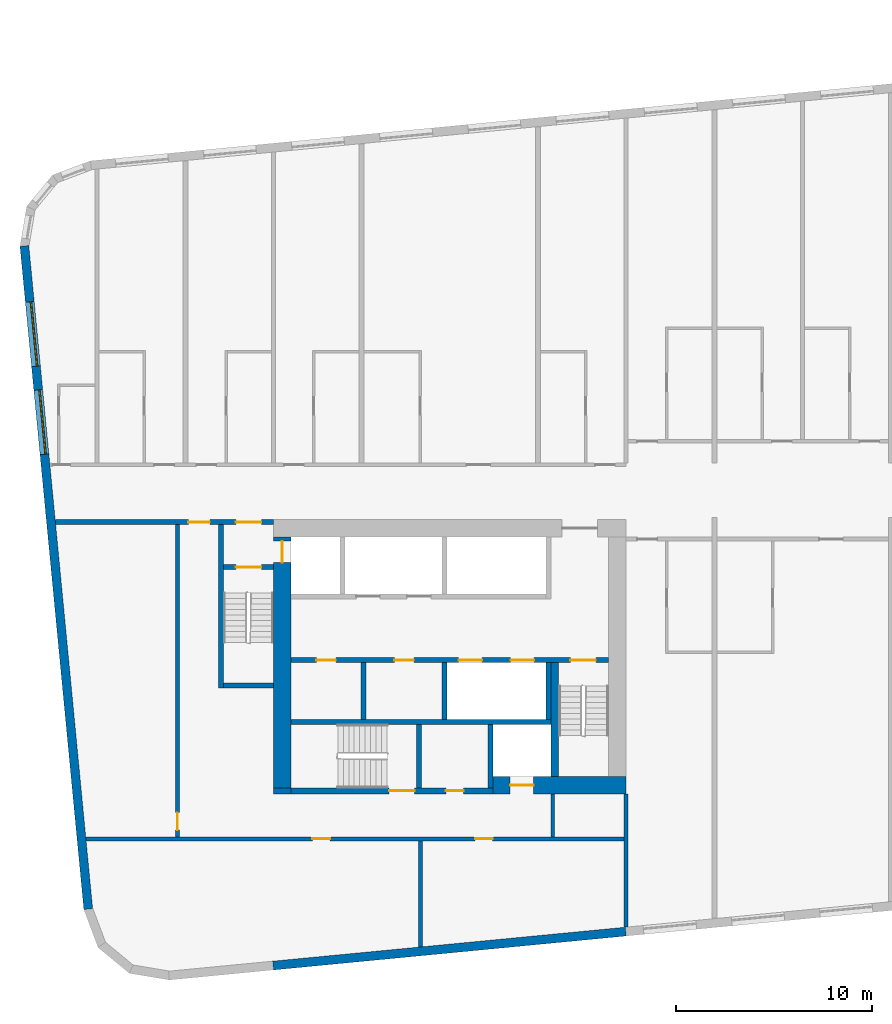
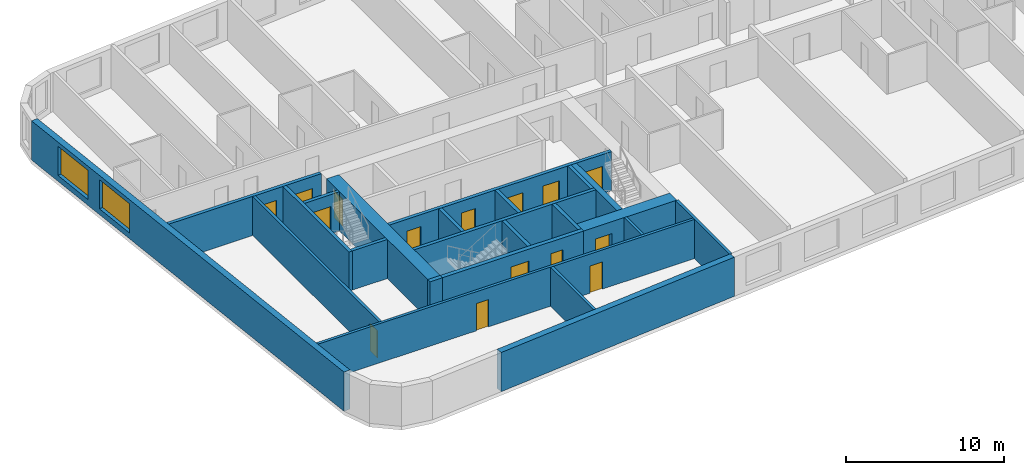
# One storey, part 2 of 12: 23 walls, 15 doors, 2 windows, 17 openings.
"""IFC4 building model written with IfcOpenShell, lengths in metres."""

from ifc_helpers import new_model, si_unit, direction, frame, frame_2d, origin, place, context, subcontext, project, spatial, rectangle, extrude, material, layer, layer_set, type_object, element, fill, save


model = new_model("IFC4")

# Units and contexts
model_context = context("Model", 3, precision=1e-05, world=origin(), true_north=direction((0.0, 1.0)))
body_context = subcontext(model_context, "Body", "Model", "MODEL_VIEW")
ifc_project = project(units=[si_unit("LENGTHUNIT", "METRE"), si_unit("AREAUNIT", "SQUARE_METRE"), si_unit("VOLUMEUNIT", "CUBIC_METRE"), si_unit("PLANEANGLEUNIT", "RADIAN"), si_unit("MASSUNIT", "GRAM", prefix="KILO")], contexts=[model_context])

# Site, building, storey
site_placement = place(None, origin())
site = spatial("IfcSite", under=ifc_project, at=site_placement, CompositionType="ELEMENT")
building_placement = place(site_placement, origin())
building = spatial("IfcBuilding", under=site, at=building_placement, Name="Kajstack Hotel Tower", CompositionType="ELEMENT")
storey_placement = place(building_placement, frame((0.0, 0.0, 173.5)))
storey = spatial("IfcBuildingStorey", under=building, at=storey_placement, Name="L40", CompositionType="ELEMENT", Elevation=173.5)

# Wall, opening, door
ifc_material_1 = material(Name="Concrete C60/75", Category="concrete")
ifc_layer_1 = layer(ifc_material_1, 0.89990234375)
ifc_layer_set_1 = layer_set([ifc_layer_1], Name="Core wall 900")
wall_type_1 = type_object("IfcWallType", Name="Core wall 900", PredefinedType="SHEAR", material=ifc_layer_set_1)
wall_1_placement = place(storey_placement, frame((-20.300048828125, -15.050048828125, 0.0), z_axis=(0.0, 0.0, 1.0), x_axis=(1.0, 0.0, 0.0)))
wall_1 = element("IfcWall", 1, at=wall_1_placement, inside=storey, type_object=wall_type_1, Name="Core wall W RS", PredefinedType="SHEAR", context=body_context, shape_type="SweptSolid", body=[
    extrude(rectangle(XDim=6.800048828125, YDim=0.89990234375, at=frame_2d((3.39990234375, 0.0))), origin(), (0.0, 0.0, 1.0), 3.02001953125),
])
opening_1_placement = place(wall_1_placement, frame((0.875, 0.0, 0.0)))
opening_1 = element("IfcOpeningElement", 2, at=opening_1_placement, cuts=wall_1, Name="Opening LD-SV1", PredefinedType="OPENING", context=body_context, shape_type="SweptSolid", body=[
    extrude(rectangle(XDim=1.199951171875, YDim=2.10009765625, at=frame_2d((0.60009765625, 1.050048828125))), frame((0.0, 0.4599609375, 0.0), z_axis=(0.0, -1.0, 0.0), x_axis=(1.0, 0.0, 0.0)), (0.0, 0.0, 1.0), 0.919921875),
])
ifc_material_2 = material(Name="Stainless steel", Category="steel")
door_type_1 = type_object("IfcDoorType", Name="Lift landing door 1200", OperationType="SLIDING_TO_LEFT", PredefinedType="DOOR", material=ifc_material_2)
door_1_placement = place(opening_1_placement, origin())
door_1 = element("IfcDoor", 3, at=door_1_placement, inside=storey, type_object=door_type_1, Name="Landing door SV1", OperationType="SLIDING_TO_LEFT", OverallHeight=2.10009765625, OverallWidth=1.199951171875, PredefinedType="DOOR", context=body_context, shape_type="SweptSolid", body=[
    extrude(rectangle(XDim=1.199951171875, YDim=2.10009765625, at=frame_2d((0.60009765625, 1.050048828125))), frame((0.0, 0.02490234375, 0.0), z_axis=(0.0, -1.0, 0.0), x_axis=(1.0, 0.0, 0.0)), (0.0, 0.0, 1.0), 0.050048828125),
])
fill(opening_1, door_1)

# Wall
wall_2_placement = place(storey_placement, frame((-31.5, -15.35009765625, 0.0), z_axis=(0.0, 0.0, 1.0), x_axis=(1.0, 0.0, 0.0)))
element("IfcWall", 4, at=wall_2_placement, inside=storey, type_object=wall_type_1, Name="Core wall W RSW", PredefinedType="SHEAR", context=body_context, shape_type="SweptSolid", body=[
    extrude(rectangle(XDim=0.89990234375, YDim=0.300048828125, at=frame_2d((0.449951171875, 0.0))), origin(), (0.0, 0.0, 1.0), 3.02001953125),
])

# Wall, opening, door
wall_3_placement = place(storey_placement, frame((-31.050048828125, -15.199951171875, 0.0), z_axis=(0.0, 0.0, 1.0), x_axis=(0.0, 1.0, 0.0)))
wall_3 = element("IfcWall", 5, at=wall_3_placement, inside=storey, type_object=wall_type_1, Name="Core wall W RW", PredefinedType="SHEAR", context=body_context, shape_type="SweptSolid", body=[
    extrude(rectangle(XDim=12.800048828125, YDim=0.89990234375, at=frame_2d((6.39990234375, 0.0))), origin(), (0.0, 0.0, 1.0), 3.02001953125),
])
opening_2_placement = place(wall_3_placement, frame((11.5, 0.0, 0.0)))
opening_2 = element("IfcOpeningElement", 6, at=opening_2_placement, cuts=wall_3, Name="Opening LD-FF1", PredefinedType="OPENING", context=body_context, shape_type="SweptSolid", body=[
    extrude(rectangle(XDim=1.10009765625, YDim=2.10009765625, at=frame_2d((0.550048828125, 1.050048828125))), frame((0.0, 0.4599609375, 0.0), z_axis=(0.0, -1.0, 0.0), x_axis=(1.0, 0.0, 0.0)), (0.0, 0.0, 1.0), 0.919921875),
])
door_type_2 = type_object("IfcDoorType", Name="Fire-fighting lift landing door 1100", OperationType="SLIDING_TO_LEFT", PredefinedType="DOOR", material=ifc_material_2)
door_2_placement = place(opening_2_placement, origin())
door_2 = element("IfcDoor", 7, at=door_2_placement, inside=storey, type_object=door_type_2, Name="Landing door FF1", OperationType="SLIDING_TO_RIGHT", OverallHeight=2.10009765625, OverallWidth=1.10009765625, PredefinedType="DOOR", context=body_context, shape_type="SweptSolid", body=[
    extrude(rectangle(XDim=1.10009765625, YDim=2.10009765625, at=frame_2d((0.550048828125, 1.050048828125))), frame((0.0, 0.02490234375, 0.0), z_axis=(0.0, -1.0, 0.0), x_axis=(1.0, 0.0, 0.0)), (0.0, 0.0, 1.0), 0.050048828125),
])
fill(opening_2, door_2)

# Walls
ifc_material_3 = material(Name="Twin-frame gypsum board on steel studs, mineral wool", Category="steel")
ifc_layer_2 = layer(ifc_material_3, 0.199951171875)
ifc_layer_set_2 = layer_set([ifc_layer_2], Name="Demising wall 200")
wall_type_2 = type_object("IfcWallType", Name="Demising wall 200", PredefinedType="PARTITIONING", material=ifc_layer_set_2)
wall_4_placement = place(storey_placement, frame((-13.5, -22.300048828125, 0.0), z_axis=(0.0, 0.0, 1.0), x_axis=(0.0, 1.0, 0.0)))
element("IfcWall", 8, at=wall_4_placement, inside=storey, type_object=wall_type_2, Name="G-wall-L40-002", PredefinedType="PARTITIONING", context=body_context, shape_type="SweptSolid", body=[
    extrude(rectangle(XDim=6.800048828125, YDim=0.199951171875, at=frame_2d((3.39990234375, 0.0))), origin(), (0.0, 0.0, 1.0), 3.02001953125),
])
ifc_material_4 = material(Name="Concrete C40/50", Category="concrete")
ifc_layer_3 = layer(ifc_material_4, 0.449951171875)
ifc_layer_set_3 = layer_set([ifc_layer_3], Name="EW-CORE")
wall_type_3 = type_object("IfcWallType", Name="EW-CORE", PredefinedType="SOLIDWALL", material=ifc_layer_set_3)
wall_5_placement = place(storey_placement, frame((-31.521484375, -24.26171875, 0.0), z_axis=(0.0, 0.0, 1.0), x_axis=(0.995396454615, 0.095843091245, 0.0)))
element("IfcWall", 9, at=wall_5_placement, inside=storey, type_object=wall_type_3, Name="E-wall-L40-04-01", PredefinedType="SOLIDWALL", context=body_context, shape_type="SweptSolid", body=[
    extrude(rectangle(XDim=18.083251953125, YDim=0.449951171875, at=frame_2d((9.04150390625, 0.0))), origin(), (0.0, 0.0, 1.0), 3.02001953125),
])

# Wall, openings, windows
ifc_material_5 = material(Name="Terracotta-faced brick masonry", Category="masonry")
ifc_layer_4 = layer(ifc_material_5, 0.449951171875)
ifc_layer_set_4 = layer_set([ifc_layer_4], Name="EW-TERRA")
wall_type_4 = type_object("IfcWallType", Name="EW-TERRA", PredefinedType="SOLIDWALL", material=ifc_layer_set_4)
wall_6_placement = place(storey_placement, frame((-44.21435546875, 12.465576171875, 0.0), z_axis=(0.0, 0.0, 1.0), x_axis=(0.095847314626, -0.995396047952, 0.0)))
wall_6 = element("IfcWall", 10, at=wall_6_placement, inside=storey, type_object=wall_type_4, Name="E-wall-L40-00-00", PredefinedType="SOLIDWALL", context=body_context, shape_type="SweptSolid", body=[
    extrude(rectangle(XDim=33.999755859375, YDim=0.449951171875, at=frame_2d((17.0, 0.0))), origin(), (0.0, 0.0, 1.0), 3.02001953125),
])
opening_3_placement = place(wall_6_placement, frame((2.864990234375, 0.0, 0.449951171875)))
opening_3 = element("IfcOpeningElement", 11, at=opening_3_placement, cuts=wall_6, Name="Opening W2", PredefinedType="OPENING", context=body_context, shape_type="SweptSolid", body=[
    extrude(rectangle(XDim=3.300048828125, YDim=2.25, at=frame_2d((1.64990234375, 1.125))), frame((0.0, 0.23486328125, 0.0), z_axis=(0.0, -1.0, 0.0), x_axis=(1.0, 0.0, 0.0)), (0.0, 0.0, 1.0), 0.469970703125),
])
opening_4_placement = place(wall_6_placement, frame((7.3857421875, 0.0, 0.449951171875)))
opening_4 = element("IfcOpeningElement", 12, at=opening_4_placement, cuts=wall_6, Name="Opening W2", PredefinedType="OPENING", context=body_context, shape_type="SweptSolid", body=[
    extrude(rectangle(XDim=3.300048828125, YDim=2.25, at=frame_2d((1.64990234375, 1.125))), frame((0.0, 0.23486328125, 0.0), z_axis=(0.0, -1.0, 0.0), x_axis=(1.0, 0.0, 0.0)), (0.0, 0.0, 1.0), 0.469970703125),
])
ifc_material_6 = material(Name="Timber-aluminium window, triple glazed", Category="wood")
window_type = type_object("IfcWindowType", Name="WG2", PartitioningType="SINGLE_PANEL", PredefinedType="WINDOW", material=ifc_material_6)
window_1_placement = place(opening_3_placement, origin())
window_1 = element("IfcWindow", 13, at=window_1_placement, inside=storey, type_object=window_type, Name="Window W2 L40-00", OverallHeight=2.25, OverallWidth=3.300048828125, PartitioningType="SINGLE_PANEL", PredefinedType="WINDOW", context=body_context, shape_type="SweptSolid", body=[
    extrude(rectangle(XDim=3.300048828125, YDim=2.25, at=frame_2d((1.64990234375, 1.125))), frame((0.0, 0.090087890625, 0.0), z_axis=(0.0, -1.0, 0.0), x_axis=(1.0, 0.0, 0.0)), (0.0, 0.0, 1.0), 0.06005859375),
])
fill(opening_3, window_1)
window_2_placement = place(opening_4_placement, origin())
window_2 = element("IfcWindow", 14, at=window_2_placement, inside=storey, type_object=window_type, Name="Window W2 L40-00", OverallHeight=2.25, OverallWidth=3.300048828125, PartitioningType="SINGLE_PANEL", PredefinedType="WINDOW", context=body_context, shape_type="SweptSolid", body=[
    extrude(rectangle(XDim=3.300048828125, YDim=2.25, at=frame_2d((1.64990234375, 1.125))), frame((0.0, 0.090087890625, 0.0), z_axis=(0.0, -1.0, 0.0), x_axis=(1.0, 0.0, 0.0)), (0.0, 0.0, 1.0), 0.06005859375),
])
fill(opening_4, window_2)

# Walls
ifc_material_7 = material(Name="Concrete C50/60", Category="concrete")
ifc_layer_5 = layer(ifc_material_7, 0.300048828125)
ifc_layer_set_5 = layer_set([ifc_layer_5], Name="Hoistway divider wall 300")
wall_type_5 = type_object("IfcWallType", Name="Hoistway divider wall 300", PredefinedType="SHEAR", material=ifc_layer_set_5)
wall_7_placement = place(storey_placement, frame((-22.77490234375, -11.699951171875, 0.0), z_axis=(0.0, 0.0, 1.0), x_axis=(0.0, 1.0, 0.0)))
element("IfcWall", 15, at=wall_7_placement, inside=storey, type_object=wall_type_5, Name="Core wall W BP2", PredefinedType="SHEAR", context=body_context, shape_type="SweptSolid", body=[
    extrude(rectangle(XDim=2.89990234375, YDim=0.25, at=frame_2d((1.449951171875, 0.0))), origin(), (0.0, 0.0, 1.0), 3.02001953125),
])
ifc_material_8 = material(Name="Concrete block masonry", Category="masonry")
ifc_layer_6 = layer(ifc_material_8, 0.25)
ifc_layer_set_6 = layer_set([ifc_layer_6], Name="Riser partition 250")
wall_type_6 = type_object("IfcWallType", Name="Riser partition 250", PredefinedType="PARTITIONING", material=ifc_layer_set_6)
wall_8_placement = place(storey_placement, frame((-26.89990234375, -11.699951171875, 0.0), z_axis=(0.0, 0.0, 1.0), x_axis=(0.0, 1.0, 0.0)))
element("IfcWall", 16, at=wall_8_placement, inside=storey, type_object=wall_type_6, Name="Partition W BF0", PredefinedType="PARTITIONING", context=body_context, shape_type="SweptSolid", body=[
    extrude(rectangle(XDim=2.89990234375, YDim=0.25, at=frame_2d((1.449951171875, 0.0))), origin(), (0.0, 0.0, 1.0), 3.02001953125),
])

# Wall, openings, doors
ifc_material_9 = material(Name="Gypsum board on steel studs, mineral wool", Category="steel")
ifc_layer_7 = layer(ifc_material_9, 0.199951171875)
ifc_layer_set_7 = layer_set([ifc_layer_7], Name="Service partition 200")
wall_type_7 = type_object("IfcWallType", Name="Service partition 200", PredefinedType="PARTITIONING", material=ifc_layer_set_7)
wall_9_placement = place(storey_placement, frame((-42.631591796875, -1.625, 0.0), z_axis=(0.0, 0.0, 1.0), x_axis=(1.0, 0.0, 0.0)))
wall_9 = element("IfcWall", 17, at=wall_9_placement, inside=storey, type_object=wall_type_7, Name="Partition W SN", PredefinedType="PARTITIONING", context=body_context, shape_type="SweptSolid", body=[
    extrude(rectangle(XDim=11.131591796875, YDim=0.25, at=frame_2d((5.56591796875, 0.0))), origin(), (0.0, 0.0, 1.0), 3.02001953125),
])
opening_5_placement = place(wall_9_placement, frame((9.20654296875, 0.0, 0.0)))
opening_5 = element("IfcOpeningElement", 18, at=opening_5_placement, cuts=wall_9, Name="Opening 40W08", PredefinedType="OPENING", context=body_context, shape_type="SweptSolid", body=[
    extrude(rectangle(XDim=1.300048828125, YDim=2.10009765625, at=frame_2d((0.64990234375, 1.050048828125))), frame((0.0, 0.135009765625, 0.0), z_axis=(0.0, -1.0, 0.0), x_axis=(1.0, 0.0, 0.0)), (0.0, 0.0, 1.0), 0.27001953125),
])
opening_6_placement = place(wall_9_placement, frame((6.781494140625, 0.0, 0.0)))
opening_6 = element("IfcOpeningElement", 19, at=opening_6_placement, cuts=wall_9, Name="Opening 40W10", PredefinedType="OPENING", context=body_context, shape_type="SweptSolid", body=[
    extrude(rectangle(XDim=1.10009765625, YDim=2.10009765625, at=frame_2d((0.550048828125, 1.050048828125))), frame((0.0, 0.135009765625, 0.0), z_axis=(0.0, -1.0, 0.0), x_axis=(1.0, 0.0, 0.0)), (0.0, 0.0, 1.0), 0.27001953125),
])
ifc_material_10 = material(Name="Steel leaf, fire-rated", Category="steel")
door_type_3 = type_object("IfcDoorType", Name="Fire lobby door 1300", OperationType="SINGLE_SWING_LEFT", PredefinedType="DOOR", material=ifc_material_10)
door_3_placement = place(opening_5_placement, origin())
door_3 = element("IfcDoor", 20, at=door_3_placement, inside=storey, type_object=door_type_3, Name="Door 40W08", OperationType="SINGLE_SWING_RIGHT", OverallHeight=2.10009765625, OverallWidth=1.300048828125, PredefinedType="DOOR", context=body_context, shape_type="SweptSolid", body=[
    extrude(rectangle(XDim=1.300048828125, YDim=2.10009765625, at=frame_2d((0.64990234375, 1.050048828125))), frame((0.0, 0.02490234375, 0.0), z_axis=(0.0, -1.0, 0.0), x_axis=(1.0, 0.0, 0.0)), (0.0, 0.0, 1.0), 0.050048828125),
])
fill(opening_5, door_3)
ifc_material_11 = material(Name="Timber leaf, fire-rated", Category="wood")
door_type_4 = type_object("IfcDoorType", Name="Service corridor door 1100", OperationType="SINGLE_SWING_LEFT", PredefinedType="DOOR", material=ifc_material_11)
door_4_placement = place(opening_6_placement, origin())
door_4 = element("IfcDoor", 21, at=door_4_placement, inside=storey, type_object=door_type_4, Name="Door 40W10", OperationType="SINGLE_SWING_RIGHT", OverallHeight=2.10009765625, OverallWidth=1.10009765625, PredefinedType="DOOR", context=body_context, shape_type="SweptSolid", body=[
    extrude(rectangle(XDim=1.10009765625, YDim=2.10009765625, at=frame_2d((0.550048828125, 1.050048828125))), frame((0.0, 0.02490234375, 0.0), z_axis=(0.0, -1.0, 0.0), x_axis=(1.0, 0.0, 0.0)), (0.0, 0.0, 1.0), 0.050048828125),
])
fill(opening_6, door_4)

# Wall
wall_10_placement = place(storey_placement, frame((-17.25, -17.699951171875, 0.0), z_axis=(0.0, 0.0, 1.0), x_axis=(0.0, 1.0, 0.0)))
element("IfcWall", 22, at=wall_10_placement, inside=storey, type_object=wall_type_7, Name="Partition W SCE", PredefinedType="PARTITIONING", context=body_context, shape_type="SweptSolid", body=[
    extrude(rectangle(XDim=2.199951171875, YDim=0.199951171875, at=frame_2d((1.10009765625, 0.0))), origin(), (0.0, 0.0, 1.0), 3.02001953125),
])

# Wall, opening, door
wall_11_placement = place(storey_placement, frame((-36.39990234375, -17.699951171875, 0.0), z_axis=(0.0, 0.0, 1.0), x_axis=(0.0, 1.0, 0.0)))
wall_11 = element("IfcWall", 23, at=wall_11_placement, inside=storey, type_object=wall_type_7, Name="Partition W WRE", PredefinedType="PARTITIONING", context=body_context, shape_type="SweptSolid", body=[
    extrude(rectangle(XDim=15.949951171875, YDim=0.199951171875, at=frame_2d((7.97509765625, 0.0))), origin(), (0.0, 0.0, 1.0), 3.02001953125),
])
opening_7_placement = place(wall_11_placement, frame((0.35009765625, 0.0, 0.0)))
opening_7 = element("IfcOpeningElement", 24, at=opening_7_placement, cuts=wall_11, Name="Opening 40W18", PredefinedType="OPENING", context=body_context, shape_type="SweptSolid", body=[
    extrude(rectangle(XDim=0.89990234375, YDim=2.10009765625, at=frame_2d((0.449951171875, 1.050048828125))), frame((0.0, 0.10986328125, 0.0), z_axis=(0.0, -1.0, 0.0), x_axis=(1.0, 0.0, 0.0)), (0.0, 0.0, 1.0), 0.219970703125),
])
door_type_5 = type_object("IfcDoorType", Name="Service door 900", OperationType="SINGLE_SWING_LEFT", PredefinedType="DOOR", material=ifc_material_11)
door_5_placement = place(opening_7_placement, origin())
door_5 = element("IfcDoor", 25, at=door_5_placement, inside=storey, type_object=door_type_5, Name="Door 40W18", OperationType="SINGLE_SWING_LEFT", OverallHeight=2.10009765625, OverallWidth=0.89990234375, PredefinedType="DOOR", context=body_context, shape_type="SweptSolid", body=[
    extrude(rectangle(XDim=0.89990234375, YDim=2.10009765625, at=frame_2d((0.449951171875, 1.050048828125))), frame((0.0, 0.02490234375, 0.0), z_axis=(0.0, -1.0, 0.0), x_axis=(1.0, 0.0, 0.0)), (0.0, 0.0, 1.0), 0.050048828125),
])
fill(opening_7, door_5)

# Wall, openings, doors
wall_12_placement = place(storey_placement, frame((-41.07421875, -17.800048828125, 0.0), z_axis=(0.0, 0.0, 1.0), x_axis=(1.0, 0.0, 0.0)))
wall_12 = element("IfcWall", 26, at=wall_12_placement, inside=storey, type_object=wall_type_7, Name="Partition W SLN", PredefinedType="PARTITIONING", context=body_context, shape_type="SweptSolid", body=[
    extrude(rectangle(XDim=27.47412109375, YDim=0.199951171875, at=frame_2d((13.737060546875, 0.0))), origin(), (0.0, 0.0, 1.0), 3.02001953125),
])
opening_8_placement = place(wall_12_placement, frame((11.5615234375, 0.0, 0.0)))
opening_8 = element("IfcOpeningElement", 27, at=opening_8_placement, cuts=wall_12, Name="Opening 40W16", PredefinedType="OPENING", context=body_context, shape_type="SweptSolid", body=[
    extrude(rectangle(XDim=0.89990234375, YDim=2.10009765625, at=frame_2d((0.449951171875, 1.050048828125))), frame((0.0, 0.10986328125, 0.0), z_axis=(0.0, -1.0, 0.0), x_axis=(1.0, 0.0, 0.0)), (0.0, 0.0, 1.0), 0.219970703125),
])
opening_9_placement = place(wall_12_placement, frame((19.861572265625, 0.0, 0.0)))
opening_9 = element("IfcOpeningElement", 28, at=opening_9_placement, cuts=wall_12, Name="Opening 40W17", PredefinedType="OPENING", context=body_context, shape_type="SweptSolid", body=[
    extrude(rectangle(XDim=0.89990234375, YDim=2.10009765625, at=frame_2d((0.449951171875, 1.050048828125))), frame((0.0, 0.10986328125, 0.0), z_axis=(0.0, -1.0, 0.0), x_axis=(1.0, 0.0, 0.0)), (0.0, 0.0, 1.0), 0.219970703125),
])
door_6_placement = place(opening_8_placement, origin())
door_6 = element("IfcDoor", 29, at=door_6_placement, inside=storey, type_object=door_type_5, Name="Door 40W16", OperationType="SINGLE_SWING_RIGHT", OverallHeight=2.10009765625, OverallWidth=0.89990234375, PredefinedType="DOOR", context=body_context, shape_type="SweptSolid", body=[
    extrude(rectangle(XDim=0.89990234375, YDim=2.10009765625, at=frame_2d((0.449951171875, 1.050048828125))), frame((0.0, 0.02490234375, 0.0), z_axis=(0.0, -1.0, 0.0), x_axis=(1.0, 0.0, 0.0)), (0.0, 0.0, 1.0), 0.050048828125),
])
fill(opening_8, door_6)
door_7_placement = place(opening_9_placement, origin())
door_7 = element("IfcDoor", 30, at=door_7_placement, inside=storey, type_object=door_type_5, Name="Door 40W17", OperationType="SINGLE_SWING_RIGHT", OverallHeight=2.10009765625, OverallWidth=0.89990234375, PredefinedType="DOOR", context=body_context, shape_type="SweptSolid", body=[
    extrude(rectangle(XDim=0.89990234375, YDim=2.10009765625, at=frame_2d((0.449951171875, 1.050048828125))), frame((0.0, 0.02490234375, 0.0), z_axis=(0.0, -1.0, 0.0), x_axis=(1.0, 0.0, 0.0)), (0.0, 0.0, 1.0), 0.050048828125),
])
fill(opening_9, door_7)

# Wall
wall_13_placement = place(storey_placement, frame((-24.0, -23.3125, 0.0), z_axis=(0.0, 0.0, 1.0), x_axis=(0.0, 1.0, 0.0)))
element("IfcWall", 31, at=wall_13_placement, inside=storey, type_object=wall_type_7, Name="Partition W SLP0", PredefinedType="PARTITIONING", context=body_context, shape_type="SweptSolid", body=[
    extrude(rectangle(XDim=5.41259765625, YDim=0.199951171875, at=frame_2d((2.706298828125, 0.0))), origin(), (0.0, 0.0, 1.0), 3.02001953125),
])

# Wall, openings, doors
ifc_layer_8 = layer(ifc_material_7, 0.25)
ifc_layer_set_8 = layer_set([ifc_layer_8], Name="Shaft wall 250")
wall_type_8 = type_object("IfcWallType", Name="Shaft wall 250", PredefinedType="SHEAR", material=ifc_layer_set_8)
wall_14_placement = place(storey_placement, frame((-30.60009765625, -15.35009765625, 0.0), z_axis=(0.0, 0.0, 1.0), x_axis=(1.0, 0.0, 0.0)))
wall_14 = element("IfcWall", 32, at=wall_14_placement, inside=storey, type_object=wall_type_8, Name="Core wall W RSS", PredefinedType="SHEAR", context=body_context, shape_type="SweptSolid", body=[
    extrude(rectangle(XDim=10.300048828125, YDim=0.300048828125, at=frame_2d((5.14990234375, 0.0))), origin(), (0.0, 0.0, 1.0), 3.02001953125),
])
opening_10_placement = place(wall_14_placement, frame((5.0, 0.0, 0.0)))
opening_10 = element("IfcOpeningElement", 33, at=opening_10_placement, cuts=wall_14, Name="Opening 40W12", PredefinedType="OPENING", context=body_context, shape_type="SweptSolid", body=[
    extrude(rectangle(XDim=1.300048828125, YDim=2.10009765625, at=frame_2d((0.64990234375, 1.050048828125))), frame((0.0, 0.159912109375, 0.0), z_axis=(0.0, -1.0, 0.0), x_axis=(1.0, 0.0, 0.0)), (0.0, 0.0, 1.0), 0.320068359375),
])
opening_11_placement = place(wall_14_placement, frame((7.89990234375, 0.0, 0.0)))
opening_11 = element("IfcOpeningElement", 34, at=opening_11_placement, cuts=wall_14, Name="Opening 40W13", PredefinedType="OPENING", context=body_context, shape_type="SweptSolid", body=[
    extrude(rectangle(XDim=0.89990234375, YDim=2.10009765625, at=frame_2d((0.449951171875, 1.050048828125))), frame((0.0, 0.159912109375, 0.0), z_axis=(0.0, -1.0, 0.0), x_axis=(1.0, 0.0, 0.0)), (0.0, 0.0, 1.0), 0.320068359375),
])
door_8_placement = place(opening_11_placement, origin())
door_8 = element("IfcDoor", 35, at=door_8_placement, inside=storey, type_object=door_type_5, Name="Door 40W13", OperationType="SINGLE_SWING_LEFT", OverallHeight=2.10009765625, OverallWidth=0.89990234375, PredefinedType="DOOR", context=body_context, shape_type="SweptSolid", body=[
    extrude(rectangle(XDim=0.89990234375, YDim=2.10009765625, at=frame_2d((0.449951171875, 1.050048828125))), frame((0.0, 0.02490234375, 0.0), z_axis=(0.0, -1.0, 0.0), x_axis=(1.0, 0.0, 0.0)), (0.0, 0.0, 1.0), 0.050048828125),
])
fill(opening_11, door_8)
door_type_6 = type_object("IfcDoorType", Name="Stair door 1300", OperationType="SINGLE_SWING_LEFT", PredefinedType="DOOR", material=ifc_material_10)
door_9_placement = place(opening_10_placement, origin())
door_9 = element("IfcDoor", 36, at=door_9_placement, inside=storey, type_object=door_type_6, Name="Door 40W12", OperationType="SINGLE_SWING_RIGHT", OverallHeight=2.10009765625, OverallWidth=1.300048828125, PredefinedType="DOOR", context=body_context, shape_type="SweptSolid", body=[
    extrude(rectangle(XDim=1.300048828125, YDim=2.10009765625, at=frame_2d((0.64990234375, 1.050048828125))), frame((0.0, 0.02490234375, 0.0), z_axis=(0.0, -1.0, 0.0), x_axis=(1.0, 0.0, 0.0)), (0.0, 0.0, 1.0), 0.050048828125),
])
fill(opening_10, door_9)

wall_15_placement = place(storey_placement, frame((-30.60009765625, -8.675048828125, 0.0), z_axis=(0.0, 0.0, 1.0), x_axis=(1.0, 0.0, 0.0)))
wall_15 = element("IfcWall", 37, at=wall_15_placement, inside=storey, type_object=wall_type_8, Name="Core wall W FB", PredefinedType="SHEAR", context=body_context, shape_type="SweptSolid", body=[
    extrude(rectangle(XDim=16.2001953125, YDim=0.25, at=frame_2d((8.10009765625, 0.0))), origin(), (0.0, 0.0, 1.0), 3.02001953125),
])
opening_12_placement = place(wall_15_placement, frame((8.550048828125, 0.0, 0.0)))
opening_12 = element("IfcOpeningElement", 38, at=opening_12_placement, cuts=wall_15, Name="Opening LD-MR1", PredefinedType="OPENING", context=body_context, shape_type="SweptSolid", body=[
    extrude(rectangle(XDim=1.199951171875, YDim=2.10009765625, at=frame_2d((0.60009765625, 1.050048828125))), frame((0.0, 0.135009765625, 0.0), z_axis=(0.0, -1.0, 0.0), x_axis=(1.0, 0.0, 0.0)), (0.0, 0.0, 1.0), 0.27001953125),
])
opening_13_placement = place(wall_15_placement, frame((11.199951171875, 0.0, 0.0)))
opening_13 = element("IfcOpeningElement", 39, at=opening_13_placement, cuts=wall_15, Name="Opening LD-MR2", PredefinedType="OPENING", context=body_context, shape_type="SweptSolid", body=[
    extrude(rectangle(XDim=1.199951171875, YDim=2.10009765625, at=frame_2d((0.60009765625, 1.050048828125))), frame((0.0, 0.135009765625, 0.0), z_axis=(0.0, -1.0, 0.0), x_axis=(1.0, 0.0, 0.0)), (0.0, 0.0, 1.0), 0.27001953125),
])
opening_14_placement = place(wall_15_placement, frame((14.25, 0.0, 0.0)))
opening_14 = element("IfcOpeningElement", 40, at=opening_14_placement, cuts=wall_15, Name="Opening 40W11", PredefinedType="OPENING", context=body_context, shape_type="SweptSolid", body=[
    extrude(rectangle(XDim=1.300048828125, YDim=2.10009765625, at=frame_2d((0.64990234375, 1.050048828125))), frame((0.0, 0.135009765625, 0.0), z_axis=(0.0, -1.0, 0.0), x_axis=(1.0, 0.0, 0.0)), (0.0, 0.0, 1.0), 0.27001953125),
])
opening_15_placement = place(wall_15_placement, frame((1.28759765625, 0.0, 0.0)))
opening_15 = element("IfcOpeningElement", 41, at=opening_15_placement, cuts=wall_15, Name="Opening 40W14", PredefinedType="OPENING", context=body_context, shape_type="SweptSolid", body=[
    extrude(rectangle(XDim=1.0, YDim=2.10009765625, at=frame_2d((0.5, 1.050048828125))), frame((0.0, 0.135009765625, 0.0), z_axis=(0.0, -1.0, 0.0), x_axis=(1.0, 0.0, 0.0)), (0.0, 0.0, 1.0), 0.27001953125),
])
opening_16_placement = place(wall_15_placement, frame((5.262451171875, 0.0, 0.0)))
opening_16 = element("IfcOpeningElement", 42, at=opening_16_placement, cuts=wall_15, Name="Opening 40W15", PredefinedType="OPENING", context=body_context, shape_type="SweptSolid", body=[
    extrude(rectangle(XDim=1.0, YDim=2.10009765625, at=frame_2d((0.5, 1.050048828125))), frame((0.0, 0.135009765625, 0.0), z_axis=(0.0, -1.0, 0.0), x_axis=(1.0, 0.0, 0.0)), (0.0, 0.0, 1.0), 0.27001953125),
])
door_10_placement = place(opening_12_placement, origin())
door_10 = element("IfcDoor", 43, at=door_10_placement, inside=storey, type_object=door_type_1, Name="Landing door MR1", OperationType="SLIDING_TO_LEFT", OverallHeight=2.10009765625, OverallWidth=1.199951171875, PredefinedType="DOOR", context=body_context, shape_type="SweptSolid", body=[
    extrude(rectangle(XDim=1.199951171875, YDim=2.10009765625, at=frame_2d((0.60009765625, 1.050048828125))), frame((0.0, 0.02490234375, 0.0), z_axis=(0.0, -1.0, 0.0), x_axis=(1.0, 0.0, 0.0)), (0.0, 0.0, 1.0), 0.050048828125),
])
fill(opening_12, door_10)
door_11_placement = place(opening_13_placement, origin())
door_11 = element("IfcDoor", 44, at=door_11_placement, inside=storey, type_object=door_type_1, Name="Landing door MR2", OperationType="SLIDING_TO_RIGHT", OverallHeight=2.10009765625, OverallWidth=1.199951171875, PredefinedType="DOOR", context=body_context, shape_type="SweptSolid", body=[
    extrude(rectangle(XDim=1.199951171875, YDim=2.10009765625, at=frame_2d((0.60009765625, 1.050048828125))), frame((0.0, 0.02490234375, 0.0), z_axis=(0.0, -1.0, 0.0), x_axis=(1.0, 0.0, 0.0)), (0.0, 0.0, 1.0), 0.050048828125),
])
fill(opening_13, door_11)
door_type_7 = type_object("IfcDoorType", Name="Service room door 1000", OperationType="SINGLE_SWING_LEFT", PredefinedType="DOOR", material=ifc_material_11)
door_12_placement = place(opening_15_placement, origin())
door_12 = element("IfcDoor", 45, at=door_12_placement, inside=storey, type_object=door_type_7, Name="Door 40W14", OperationType="SINGLE_SWING_RIGHT", OverallHeight=2.10009765625, OverallWidth=1.0, PredefinedType="DOOR", context=body_context, shape_type="SweptSolid", body=[
    extrude(rectangle(XDim=1.0, YDim=2.10009765625, at=frame_2d((0.5, 1.050048828125))), frame((0.0, 0.02490234375, 0.0), z_axis=(0.0, -1.0, 0.0), x_axis=(1.0, 0.0, 0.0)), (0.0, 0.0, 1.0), 0.050048828125),
])
fill(opening_15, door_12)
door_13_placement = place(opening_16_placement, origin())
door_13 = element("IfcDoor", 46, at=door_13_placement, inside=storey, type_object=door_type_7, Name="Door 40W15", OperationType="SINGLE_SWING_RIGHT", OverallHeight=2.10009765625, OverallWidth=1.0, PredefinedType="DOOR", context=body_context, shape_type="SweptSolid", body=[
    extrude(rectangle(XDim=1.0, YDim=2.10009765625, at=frame_2d((0.5, 1.050048828125))), frame((0.0, 0.02490234375, 0.0), z_axis=(0.0, -1.0, 0.0), x_axis=(1.0, 0.0, 0.0)), (0.0, 0.0, 1.0), 0.050048828125),
])
fill(opening_16, door_13)
door_14_placement = place(opening_14_placement, origin())
door_14 = element("IfcDoor", 47, at=door_14_placement, inside=storey, type_object=door_type_6, Name="Door 40W11", OperationType="SINGLE_SWING_RIGHT", OverallHeight=2.10009765625, OverallWidth=1.300048828125, PredefinedType="DOOR", context=body_context, shape_type="SweptSolid", body=[
    extrude(rectangle(XDim=1.300048828125, YDim=2.10009765625, at=frame_2d((0.64990234375, 1.050048828125))), frame((0.0, 0.02490234375, 0.0), z_axis=(0.0, -1.0, 0.0), x_axis=(1.0, 0.0, 0.0)), (0.0, 0.0, 1.0), 0.050048828125),
])
fill(opening_14, door_14)

# Walls
wall_16_placement = place(storey_placement, frame((-30.60009765625, -11.824951171875, 0.0), z_axis=(0.0, 0.0, 1.0), x_axis=(1.0, 0.0, 0.0)))
element("IfcWall", 48, at=wall_16_placement, inside=storey, type_object=wall_type_8, Name="Core wall W RB", PredefinedType="SHEAR", context=body_context, shape_type="SweptSolid", body=[
    extrude(rectangle(XDim=13.25, YDim=0.25, at=frame_2d((6.625, 0.0))), origin(), (0.0, 0.0, 1.0), 3.02001953125),
])
wall_17_placement = place(storey_placement, frame((-17.47509765625, -11.699951171875, 0.0), z_axis=(0.0, 0.0, 1.0), x_axis=(0.0, 1.0, 0.0)))
element("IfcWall", 49, at=wall_17_placement, inside=storey, type_object=wall_type_8, Name="Core wall W BE", PredefinedType="SHEAR", context=body_context, shape_type="SweptSolid", body=[
    extrude(rectangle(XDim=2.89990234375, YDim=0.25, at=frame_2d((1.449951171875, 0.0))), origin(), (0.0, 0.0, 1.0), 3.02001953125),
])
wall_18_placement = place(storey_placement, frame((-20.425048828125, -15.199951171875, 0.0), z_axis=(0.0, 0.0, 1.0), x_axis=(0.0, 1.0, 0.0)))
element("IfcWall", 50, at=wall_18_placement, inside=storey, type_object=wall_type_8, Name="Core wall W SVW", PredefinedType="SHEAR", context=body_context, shape_type="SweptSolid", body=[
    extrude(rectangle(XDim=3.25, YDim=0.25, at=frame_2d((1.625, 0.0))), origin(), (0.0, 0.0, 1.0), 3.02001953125),
])

# Wall, opening, door
ifc_layer_9 = layer(ifc_material_4, 0.25)
ifc_layer_set_9 = layer_set([ifc_layer_9], Name="Stair enclosure wall 250")
wall_type_9 = type_object("IfcWallType", Name="Stair enclosure wall 250", PredefinedType="SHEAR", material=ifc_layer_set_9)
wall_19_placement = place(storey_placement, frame((-34.050048828125, -3.925048828125, 0.0), z_axis=(0.0, 0.0, 1.0), x_axis=(1.0, 0.0, 0.0)))
wall_19 = element("IfcWall", 51, at=wall_19_placement, inside=storey, type_object=wall_type_9, Name="Core wall W W1N", PredefinedType="SHEAR", context=body_context, shape_type="SweptSolid", body=[
    extrude(rectangle(XDim=2.550048828125, YDim=0.25, at=frame_2d((1.27490234375, 0.0))), origin(), (0.0, 0.0, 1.0), 3.02001953125),
])
opening_17_placement = place(wall_19_placement, frame((0.625, 0.0, 0.0)))
opening_17 = element("IfcOpeningElement", 52, at=opening_17_placement, cuts=wall_19, Name="Opening 40W09", PredefinedType="OPENING", context=body_context, shape_type="SweptSolid", body=[
    extrude(rectangle(XDim=1.300048828125, YDim=2.10009765625, at=frame_2d((0.64990234375, 1.050048828125))), frame((0.0, 0.135009765625, 0.0), z_axis=(0.0, -1.0, 0.0), x_axis=(1.0, 0.0, 0.0)), (0.0, 0.0, 1.0), 0.27001953125),
])
door_15_placement = place(opening_17_placement, origin())
door_15 = element("IfcDoor", 53, at=door_15_placement, inside=storey, type_object=door_type_6, Name="Door 40W09", OperationType="SINGLE_SWING_RIGHT", OverallHeight=2.10009765625, OverallWidth=1.300048828125, PredefinedType="DOOR", context=body_context, shape_type="SweptSolid", body=[
    extrude(rectangle(XDim=1.300048828125, YDim=2.10009765625, at=frame_2d((0.64990234375, 1.050048828125))), frame((0.0, 0.02490234375, 0.0), z_axis=(0.0, -1.0, 0.0), x_axis=(1.0, 0.0, 0.0)), (0.0, 0.0, 1.0), 0.050048828125),
])
fill(opening_17, door_15)

# Walls
wall_20_placement = place(storey_placement, frame((-34.175048828125, -10.10009765625, 0.0), z_axis=(0.0, 0.0, 1.0), x_axis=(0.0, 1.0, 0.0)))
element("IfcWall", 54, at=wall_20_placement, inside=storey, type_object=wall_type_9, Name="Core wall W W1W", PredefinedType="SHEAR", context=body_context, shape_type="SweptSolid", body=[
    extrude(rectangle(XDim=8.35009765625, YDim=0.25, at=frame_2d((4.175048828125, 0.0))), origin(), (0.0, 0.0, 1.0), 3.02001953125),
])
wall_21_placement = place(storey_placement, frame((-34.050048828125, -9.97509765625, 0.0), z_axis=(0.0, 0.0, 1.0), x_axis=(1.0, 0.0, 0.0)))
element("IfcWall", 55, at=wall_21_placement, inside=storey, type_object=wall_type_9, Name="Core wall W W1S", PredefinedType="SHEAR", context=body_context, shape_type="SweptSolid", body=[
    extrude(rectangle(XDim=2.550048828125, YDim=0.25, at=frame_2d((1.27490234375, 0.0))), origin(), (0.0, 0.0, 1.0), 3.02001953125),
])
ifc_layer_10 = layer(ifc_material_7, 0.35009765625)
ifc_layer_set_10 = layer_set([ifc_layer_10], Name="Stair enclosure wall 350")
wall_type_10 = type_object("IfcWallType", Name="Stair enclosure wall 350", PredefinedType="SHEAR", material=ifc_layer_set_10)
wall_22_placement = place(storey_placement, frame((-24.074951171875, -15.199951171875, 0.0), z_axis=(0.0, 0.0, 1.0), x_axis=(0.0, 1.0, 0.0)))
element("IfcWall", 56, at=wall_22_placement, inside=storey, type_object=wall_type_10, Name="Core wall W W3E", PredefinedType="SHEAR", context=body_context, shape_type="SweptSolid", body=[
    extrude(rectangle(XDim=3.25, YDim=0.25, at=frame_2d((1.625, 0.0))), origin(), (0.0, 0.0, 1.0), 3.02001953125),
])
ifc_layer_11 = layer(ifc_material_7, 0.39990234375)
ifc_layer_set_11 = layer_set([ifc_layer_11], Name="Stair wall 400")
wall_type_11 = type_object("IfcWallType", Name="Stair wall 400", PredefinedType="SHEAR", material=ifc_layer_set_11)
wall_23_placement = place(storey_placement, frame((-17.14990234375, -14.60009765625, 0.0), z_axis=(0.0, 0.0, 1.0), x_axis=(0.0, 1.0, 0.0)))
element("IfcWall", 57, at=wall_23_placement, inside=storey, type_object=wall_type_11, Name="Core wall W WW2", PredefinedType="SHEAR", context=body_context, shape_type="SweptSolid", body=[
    extrude(rectangle(XDim=5.800048828125, YDim=0.39990234375, at=frame_2d((2.89990234375, 0.0))), origin(), (0.0, 0.0, 1.0), 3.02001953125),
])

save(model, "model.ifc")
